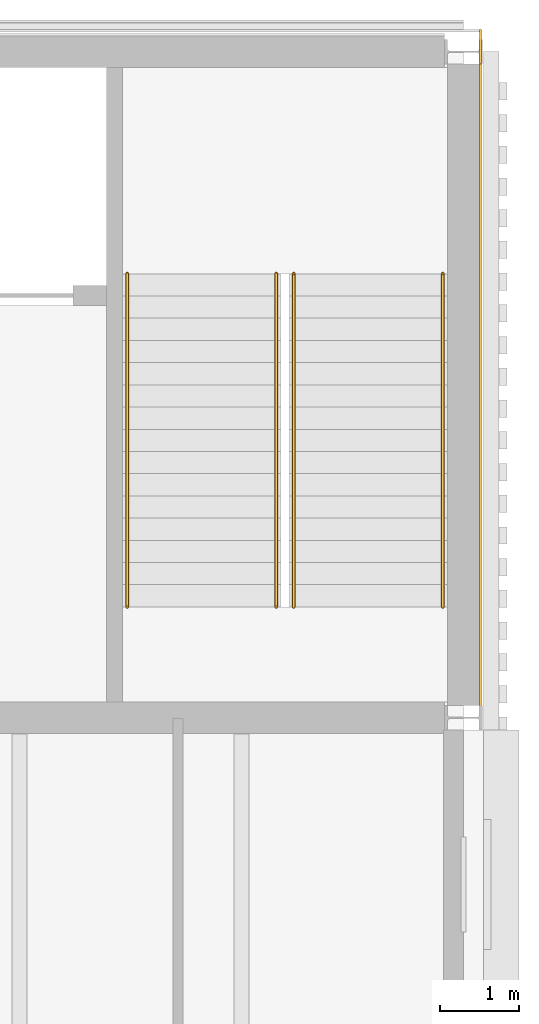
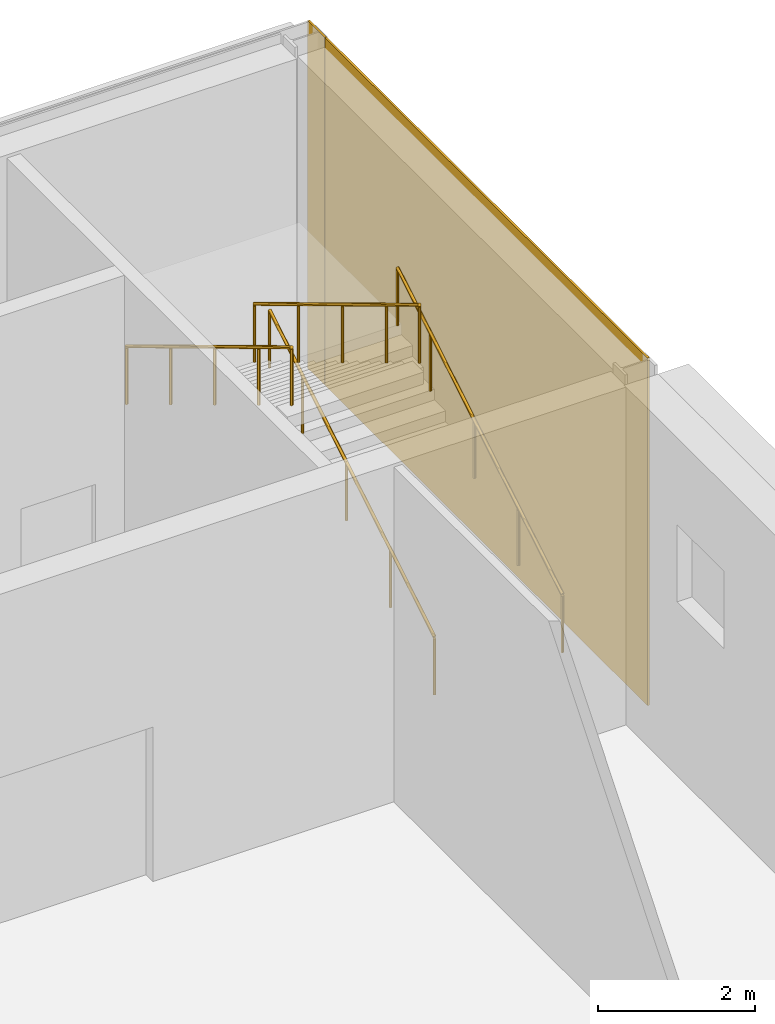
# One storey, part 53 of 57: 4 railings, 2 coverings.
"""IFC4 building model written with IfcOpenShell, lengths in metres."""

from ifc_helpers import new_model, si_unit, direction, frame, origin, origin_2d, place, context, subcontext, project, spatial, rectangle, circle, extrude, material, layer, layer_set, type_object, element, save


model = new_model("IFC4")

# Units and contexts
model_context = context("Model", 3, precision=1e-05, world=origin(), true_north=direction((0.0, 1.0)))
body_context = subcontext(model_context, "Body", "Model", "MODEL_VIEW")
ifc_project = project(units=[si_unit("LENGTHUNIT", "METRE"), si_unit("AREAUNIT", "SQUARE_METRE"), si_unit("VOLUMEUNIT", "CUBIC_METRE"), si_unit("PLANEANGLEUNIT", "RADIAN"), si_unit("MASSUNIT", "GRAM", prefix="KILO")], contexts=[model_context])

# Site, building, storey
site_placement = place(None, origin())
site = spatial("IfcSite", under=ifc_project, at=site_placement, CompositionType="ELEMENT")
building_placement = place(site_placement, origin())
building = spatial("IfcBuilding", under=site, at=building_placement, Name="Galleria Vessillo Department Store", CompositionType="ELEMENT")
storey_placement = place(building_placement, frame((0.0, 0.0, 25.800048828125)))
storey = spatial("IfcBuildingStorey", under=building, at=storey_placement, Name="L05", CompositionType="ELEMENT", Elevation=25.800048828125)

# Coverings
ifc_material_1 = material(Name="Lime plaster (intonaco) ochre")
ifc_layer_1 = layer(ifc_material_1, 0.030029296875)
ifc_layer_set_1 = layer_set([ifc_layer_1], Name="Lime plaster (intonaco) ochre")
covering_type_1 = type_object("IfcCoveringType", Name="Lime plaster render 30 mm", PredefinedType="CLADDING", material=ifc_layer_set_1)
covering_1_placement = place(storey_placement, frame((117.81494140625, 63.06494140625, 0.0), z_axis=(0.0, 0.0, 1.0), x_axis=(1.0, 0.0, 0.0)))
element("IfcCovering", 1, at=covering_1_placement, inside=storey, type_object=covering_type_1, Name="Corner cladding L05 y=63 east face", PredefinedType="CLADDING", context=body_context, shape_type="SweptSolid", body=[
    extrude(rectangle(XDim=0.030029296875, YDim=0.429931640625, at=origin_2d()), origin(), (0.0, 0.0, 1.0), 5.39990234375),
])
ifc_material_2 = material(Name="Botticino limestone ashlar", Category="masonry")
ifc_layer_2 = layer(ifc_material_2, 0.030029296875)
ifc_layer_set_2 = layer_set([ifc_layer_2], Name="Botticino limestone ashlar")
covering_type_2 = type_object("IfcCoveringType", Name="Limestone wall cladding 30 mm", PredefinedType="CLADDING", material=ifc_layer_set_2)
covering_2_placement = place(storey_placement, frame((117.815185546875, 58.739990234375, 0.0), z_axis=(0.0, 0.0, 1.0), x_axis=(1.0, 0.0, 0.0)))
element("IfcCovering", 2, at=covering_2_placement, inside=storey, type_object=covering_type_2, Name="Wall cladding S-CW-TC-EAST-L05", PredefinedType="CLADDING", context=body_context, shape_type="SweptSolid", body=[
    extrude(rectangle(XDim=0.030029296875, YDim=8.212890625, at=origin_2d()), origin(), (0.0, 0.0, 1.0), 5.39990234375),
])

# Railings
ifc_material_3 = material(Name="Stainless steel tube", Category="steel")
railing_type = type_object("IfcRailingType", Name="Stair handrail steel tube 48 mm", PredefinedType="HANDRAIL", material=ifc_material_3)
for number, where, name in (
    (3, (115.4599609375, 56.0, 0.168701171875), "Handrail ST9 L05 flight 1A"),
    (4, (117.33984375, 56.0, 0.168701171875), "Handrail ST9 L05 flight 1B"),
):
    element("IfcRailing", number, at=place(storey_placement, frame(where)), inside=storey, type_object=railing_type, Name=name, PredefinedType="HANDRAIL", context=body_context, shape_type="SweptSolid", body=[
        extrude(circle(Radius=0.02392578125, at=origin_2d()), frame((0.0, 0.0, 0.89599609375), z_axis=(0.0, 0.856486514401, 0.516169401116), x_axis=(-1.0, 0.0, 0.0)), (0.0, 0.0, 1.0), 1.307861328125),
        extrude(circle(Radius=0.02392578125, at=origin_2d()), frame((0.0, 1.1201171875, 1.57080078125), z_axis=(0.0, 0.856436765236, 0.516251941548), x_axis=(-1.0, 0.0, 0.0)), (0.0, 0.0, 1.0), 1.3076171875),
        extrude(circle(Radius=0.02392578125, at=origin_2d()), frame((0.0, 2.239990234375, 2.24609375), z_axis=(0.0, 0.856486514401, 0.516169401116), x_axis=(-1.0, 0.0, 0.0)), (0.0, 0.0, 1.0), 1.307861328125),
        extrude(circle(Radius=0.02392578125, at=origin_2d()), frame((0.0, 3.360107421875, 2.9208984375), z_axis=(0.0, 0.856502732318, 0.516142489563), x_axis=(-1.0, 0.0, 0.0)), (0.0, 0.0, 1.0), 0.98046875),
        extrude(circle(Radius=0.02099609375, at=origin_2d()), origin(), (0.0, 0.0, 1.0), 0.871826171875),
        extrude(circle(Radius=0.02099609375, at=origin_2d()), frame((0.0, 1.1201171875, 0.675048828125)), (0.0, 0.0, 1.0), 0.871826171875),
        extrude(circle(Radius=0.02099609375, at=origin_2d()), frame((0.0, 2.239990234375, 1.35009765625)), (0.0, 0.0, 1.0), 0.871826171875),
        extrude(circle(Radius=0.02099609375, at=origin_2d()), frame((0.0, 3.360107421875, 2.025146484375)), (0.0, 0.0, 1.0), 0.871826171875),
        extrude(circle(Radius=0.02099609375, at=origin_2d()), frame((0.0, 4.199951171875, 2.53125)), (0.0, 0.0, 1.0), 0.871826171875),
    ])
for number, where, name in (
    (5, (115.239990234375, 60.199951171875, 2.86865234375), "Handrail ST9 L05 flight 2A"),
    (6, (113.360107421875, 60.199951171875, 2.86865234375), "Handrail ST9 L05 flight 2B"),
):
    element("IfcRailing", number, at=place(storey_placement, frame(where)), inside=storey, type_object=railing_type, Name=name, PredefinedType="HANDRAIL", context=body_context, shape_type="SweptSolid", body=[
        extrude(circle(Radius=0.02392578125, at=origin_2d()), frame((0.0, 0.0, 0.89599609375), z_axis=(0.0, -0.856486514401, 0.516169401116), x_axis=(1.0, 0.0, 0.0)), (0.0, 0.0, 1.0), 1.307861328125),
        extrude(circle(Radius=0.02392578125, at=origin_2d()), frame((0.0, -1.1201171875, 1.57080078125), z_axis=(0.0, -0.856436765236, 0.516251941548), x_axis=(1.0, 0.0, 0.0)), (0.0, 0.0, 1.0), 1.3076171875),
        extrude(circle(Radius=0.02392578125, at=origin_2d()), frame((0.0, -2.239990234375, 2.24609375), z_axis=(0.0, -0.856486514401, 0.516169401116), x_axis=(1.0, 0.0, 0.0)), (0.0, 0.0, 1.0), 1.307861328125),
        extrude(circle(Radius=0.02392578125, at=origin_2d()), frame((0.0, -3.360107421875, 2.9208984375), z_axis=(0.0, -0.856502732318, 0.516142489563), x_axis=(1.0, 0.0, 0.0)), (0.0, 0.0, 1.0), 0.98046875),
        extrude(circle(Radius=0.02099609375, at=origin_2d()), origin(), (0.0, 0.0, 1.0), 0.871826171875),
        extrude(circle(Radius=0.02099609375, at=origin_2d()), frame((0.0, -1.1201171875, 0.675048828125)), (0.0, 0.0, 1.0), 0.871826171875),
        extrude(circle(Radius=0.02099609375, at=origin_2d()), frame((0.0, -2.239990234375, 1.35009765625)), (0.0, 0.0, 1.0), 0.871826171875),
        extrude(circle(Radius=0.02099609375, at=origin_2d()), frame((0.0, -3.360107421875, 2.025146484375)), (0.0, 0.0, 1.0), 0.871826171875),
        extrude(circle(Radius=0.02099609375, at=origin_2d()), frame((0.0, -4.199951171875, 2.53125)), (0.0, 0.0, 1.0), 0.871826171875),
    ])

save(model, "model.ifc")
